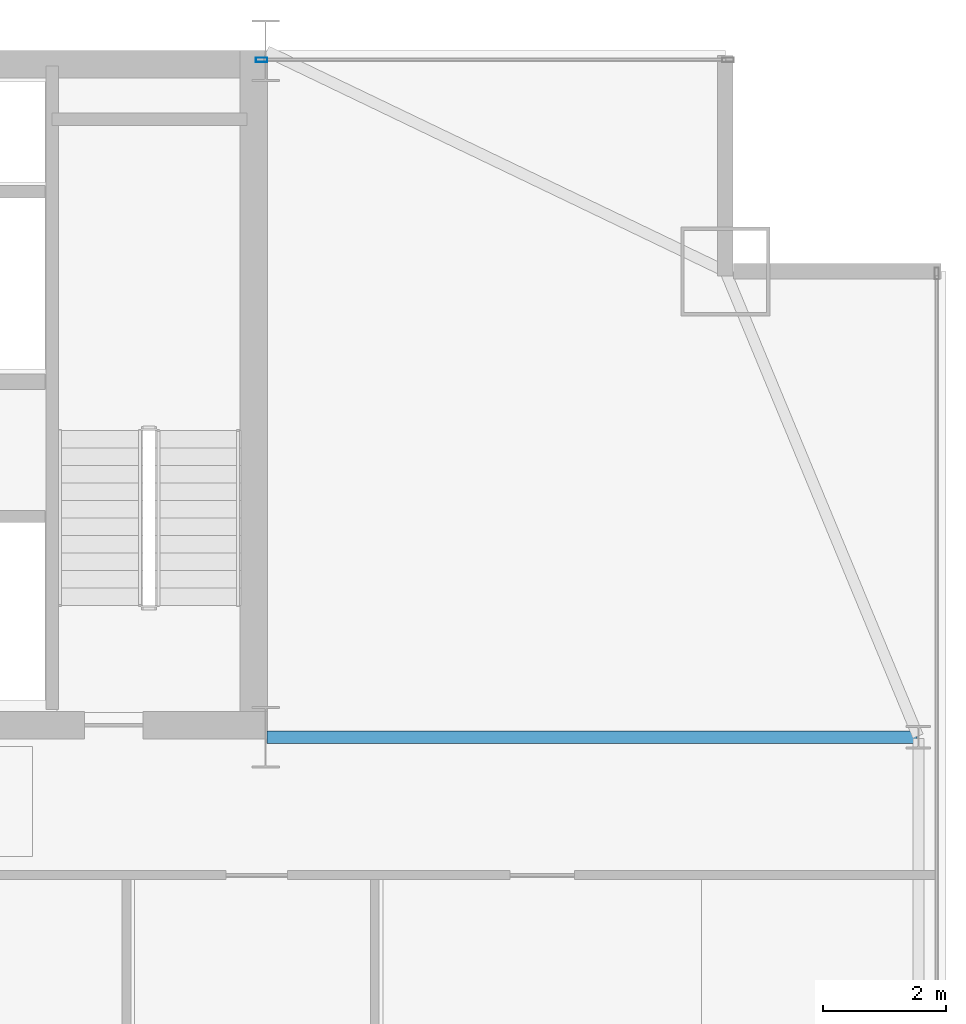
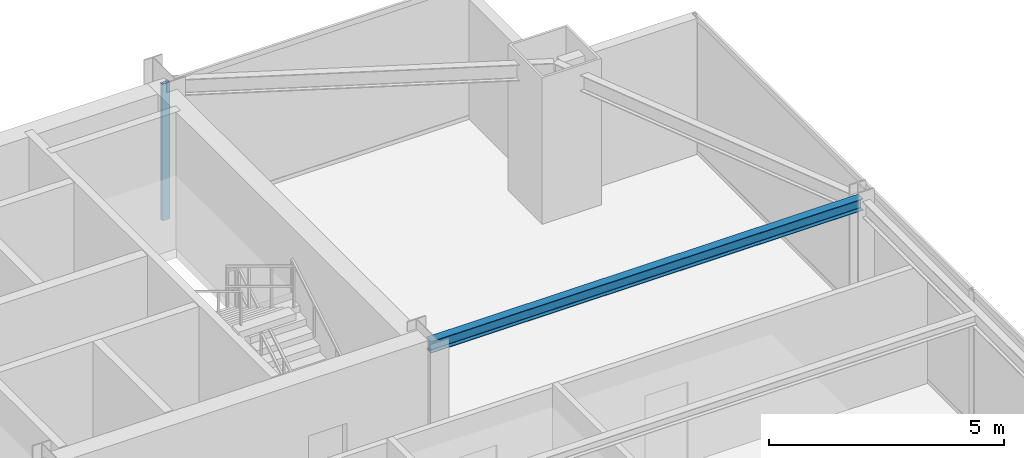
# One storey, part 24 of 32: 1 beam, 1 member, 1 element without a shape of its own.
"""IFC4 building model written with IfcOpenShell, lengths in metres."""

from ifc_helpers import new_model, si_unit, direction, frame, origin, origin_2d, place, context, subcontext, project, spatial, hollow_rectangle, i_section, extrude, source, transform, mapped, material, layer, layer_set, material_profile, profile_set, type_object, type_shapes, element, aggregate, save


model = new_model("IFC4")

# Units and contexts
model_context = context("Model", 3, precision=1e-05, world=origin(), true_north=direction((0.0, 1.0)))
body_context = subcontext(model_context, "Body", "Model", "MODEL_VIEW")
ifc_project = project(units=[si_unit("LENGTHUNIT", "METRE"), si_unit("AREAUNIT", "SQUARE_METRE"), si_unit("VOLUMEUNIT", "CUBIC_METRE"), si_unit("PLANEANGLEUNIT", "RADIAN"), si_unit("MASSUNIT", "GRAM", prefix="KILO")], contexts=[model_context])

# Site, building, storey
site_placement = place(None, origin())
site = spatial("IfcSite", under=ifc_project, at=site_placement, CompositionType="ELEMENT")
building_placement = place(site_placement, origin())
building = spatial("IfcBuilding", under=site, at=building_placement, Name="Varnel Quay Broadcast Tower", CompositionType="ELEMENT")
storey_placement = place(building_placement, frame((0.0, 0.0, 133.39990234375)))
storey = spatial("IfcBuildingStorey", under=building, at=storey_placement, Name="L32", CompositionType="ELEMENT", Elevation=133.39990234375)

# Beam
ifc_material_1 = material(Name="Structural Steel CSA G40.21 350W", Category="steel")
ifc_material_profile_1 = material_profile(ifc_material_1, i_section(OverallWidth=0.202880859375, OverallDepth=0.302978515625, WebThickness=0.007568359375, FlangeThickness=0.01318359375, FilletRadius=0.011962890625, at=origin_2d()), Name="W310X60")
ifc_profile_set_1 = profile_set([ifc_material_profile_1], Name="Structural Steel CSA G40.21 350W")
beam_type = type_object("IfcBeamType", Name="Beam_W310X60", PredefinedType="JOIST", material=ifc_profile_set_1)
shared_shape_1 = source(origin(), body_context, "Body", "SweptSolid", [
    extrude(i_section(OverallWidth=0.202880859375, OverallDepth=0.302978515625, WebThickness=0.007568359375, FlangeThickness=0.01318359375, FilletRadius=0.011962890625, at=origin_2d()), origin(), (0.0, 0.0, 1.0), 10.610107421875),
])
type_shapes(beam_type, [shared_shape_1])
beam_placement = place(storey_placement, frame((52.419921875, 35.60009765625, 3.398681640625), z_axis=(1.0, 0.0, 0.0), x_axis=(0.0, 1.0, 0.0)))
element("IfcBeam", 1, at=beam_placement, inside=storey, type_object=beam_type, Name="L32 East Core Tie Joist", PredefinedType="JOIST", context=body_context, shape_type="MappedRepresentation", body=[
    mapped(shared_shape_1, transform((0.0, 0.0, 0.0), x_axis=(1.0, 0.0, 0.0), y_axis=(0.0, 1.0, 0.0), z_axis=(0.0, 0.0, 1.0), scale=1.0)),
])

# Curtain wall, member
ifc_material_2 = material(Name="Anodised Bronze Aluminium 6063-T6", Category="aluminium")
ifc_layer = layer(ifc_material_2, 0.18994140625, Name="Anodised Bronze Aluminium 6063-T6")
ifc_layer_set = layer_set([ifc_layer], Name="Anodised Bronze Aluminium 6063-T6")
curtain_wall_type = type_object("IfcCurtainWallType", Name="CW_LowerTower", PredefinedType="NOTDEFINED", material=ifc_layer_set)
curtain_wall_placement = place(storey_placement, origin())
curtain_wall = element("IfcCurtainWall", 2, at=curtain_wall_placement, inside=storey, type_object=curtain_wall_type, Name="L32 NE Wing Curtain Wall", PredefinedType="NOTDEFINED")
ifc_material_profile_2 = material_profile(ifc_material_2, hollow_rectangle(XDim=0.070068359375, YDim=0.18994140625, WallThickness=0.00390625, at=origin_2d()), Name="ALU70X190X4")
ifc_profile_set_2 = profile_set([ifc_material_profile_2], Name="Anodised Bronze Aluminium 6063-T6")
member_type = type_object("IfcMemberType", Name="Mull_CWS-02", PredefinedType="MULLION", material=ifc_profile_set_2)
shared_shape_2 = source(origin(), body_context, "Body", "SweptSolid", [
    extrude(hollow_rectangle(XDim=0.070068359375, YDim=0.18994140625, WallThickness=0.00390625, at=origin_2d()), origin(), (0.0, 0.0, 1.0), 3.550048828125),
])
type_shapes(member_type, [shared_shape_2])
member_placement = place(storey_placement, frame((52.3349609375, 46.64990234375, 0.0), z_axis=(0.0, 0.0, 1.0), x_axis=(0.0, 1.0, 0.0)))
member = element("IfcMember", 3, at=member_placement, type_object=member_type, Name="CWS-02 mullion 1", PredefinedType="MULLION", context=body_context, shape_type="MappedRepresentation", body=[
    mapped(shared_shape_2, transform((0.0, 0.0, 0.0), x_axis=(1.0, 0.0, 0.0), y_axis=(0.0, 1.0, 0.0), z_axis=(0.0, 0.0, 1.0), scale=1.0)),
])
aggregate(curtain_wall, [member])

save(model, "model.ifc")
